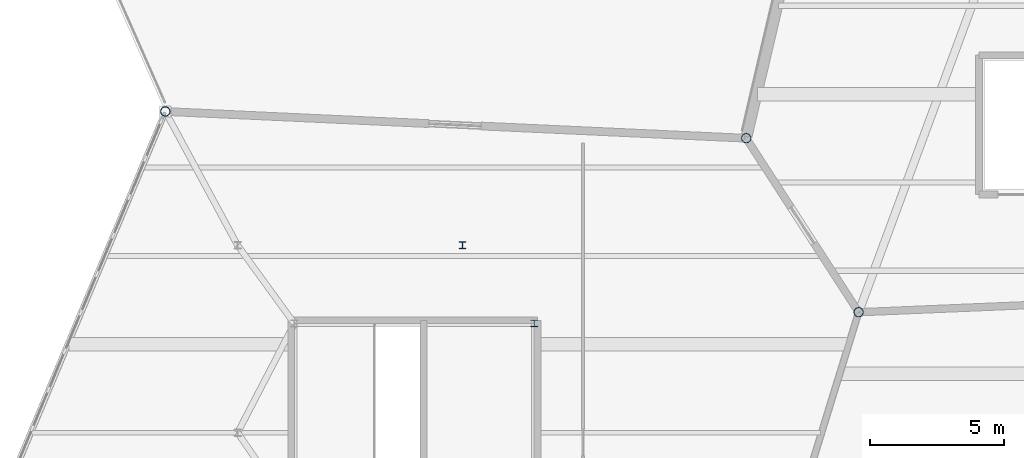
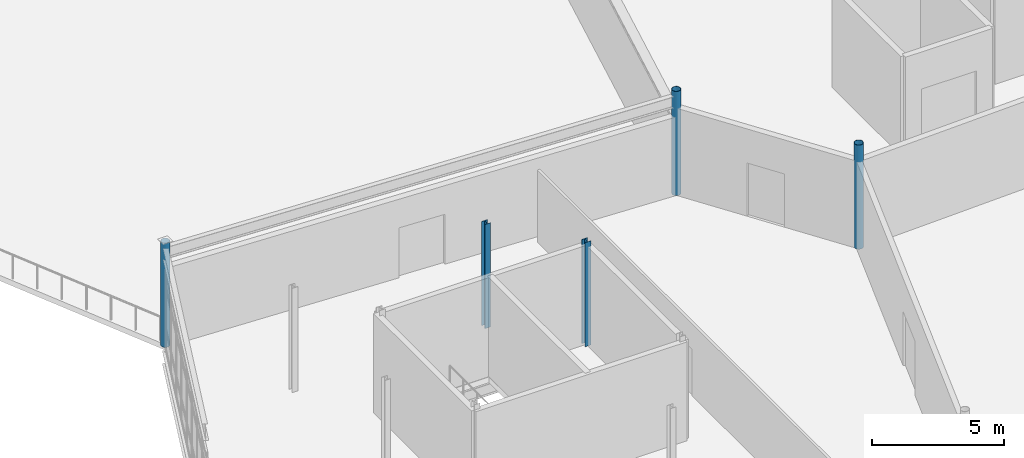
# One storey, part 10 of 114: 5 columns.
"""IFC4 building model written with IfcOpenShell, lengths in metres."""

from ifc_helpers import new_model, si_unit, direction, frame, origin, origin_2d, place, context, subcontext, project, spatial, hollow_circle, i_section, extrude, material, material_profile, profile_set, type_object, element, save


model = new_model("IFC4")

# Units and contexts
model_context = context("Model", 3, precision=1e-05, world=origin(), true_north=direction((0.0, 1.0)))
body_context = subcontext(model_context, "Body", "Model", "MODEL_VIEW")
ifc_project = project(units=[si_unit("LENGTHUNIT", "METRE"), si_unit("AREAUNIT", "SQUARE_METRE"), si_unit("VOLUMEUNIT", "CUBIC_METRE"), si_unit("PLANEANGLEUNIT", "RADIAN"), si_unit("MASSUNIT", "GRAM", prefix="KILO")], contexts=[model_context])

# Site, building, storey
site_placement = place(None, origin())
site = spatial("IfcSite", under=ifc_project, at=site_placement, CompositionType="ELEMENT")
building_placement = place(site_placement, origin())
building = spatial("IfcBuilding", under=site, at=building_placement, Name="Tameran Prism Museum", CompositionType="ELEMENT")
storey_placement = place(building_placement, frame((0.0, 0.0, 10.199951171875)))
storey = spatial("IfcBuildingStorey", under=building, at=storey_placement, Name="L02", CompositionType="ELEMENT", Elevation=10.199951171875)

# Columns
ifc_material_1 = material(Name="Steel Grade C350L0 (350 MPa)", Category="steel")
ifc_material_profile_1 = material_profile(ifc_material_1, hollow_circle(Radius=0.177734375, WallThickness=0.0126953125, at=origin_2d()))
ifc_profile_set_1 = profile_set([ifc_material_profile_1])
column_type_1 = type_object("IfcColumnType", Name="COL-CHS355", PredefinedType="COLUMN", material=ifc_profile_set_1)
for number, where, z_axis, x_axis, name in (
    (1, (5.699951171875, 89.0, 0.0), (0.0, 0.0, 1.0), (1.0, 0.0, 0.0), "Column CV-10 L02"),
    (2, (27.39990234375, 88.0, 0.0), (0.0, 0.0, 1.0), (1.0, 0.0, 0.0), "Column CV-17 L02"),
    (3, (31.60009765625, 81.5, 0.0), (0.0, 0.0, 1.0), (1.0, 0.0, 0.0), "Column CV-20 L02"),
):
    element("IfcColumn", number, at=place(storey_placement, frame(where, z_axis=z_axis, x_axis=x_axis)), inside=storey, type_object=column_type_1, Name=name, PredefinedType="COLUMN", context=body_context, shape_type="SweptSolid", body=[
        extrude(hollow_circle(Radius=0.177734375, WallThickness=0.0126953125, at=origin_2d()), origin(), (0.0, 0.0, 1.0), 4.800048828125),
    ])
ifc_material_2 = material(Name="Steel Grade 300PLUS (300 MPa)", Category="steel")
ifc_material_profile_2 = material_profile(ifc_material_2, i_section(OverallWidth=0.25390625, OverallDepth=0.25390625, WebThickness=0.008544921875, FlangeThickness=0.01416015625, FilletRadius=0.0126953125, at=origin_2d()))
ifc_profile_set_2 = profile_set([ifc_material_profile_2])
column_type_2 = type_object("IfcColumnType", Name="COL-UC250B", PredefinedType="COLUMN", material=ifc_profile_set_2)
for number, where, z_axis, x_axis, name in (
    (4, (16.800048828125, 84.0, 0.0), (0.0, 0.0, 1.0), (1.0, 0.0, 0.0), "Column CI-08 L02"),
    (5, (19.47998046875, 81.080078125, 0.0), (0.0, 0.0, 1.0), (1.0, 0.0, 0.0), "Column CC-9-3 L02"),
):
    element("IfcColumn", number, at=place(storey_placement, frame(where, z_axis=z_axis, x_axis=x_axis)), inside=storey, type_object=column_type_2, Name=name, PredefinedType="COLUMN", context=body_context, shape_type="SweptSolid", body=[
        extrude(i_section(OverallWidth=0.25390625, OverallDepth=0.25390625, WebThickness=0.008544921875, FlangeThickness=0.01416015625, FilletRadius=0.0126953125, at=origin_2d()), origin(), (0.0, 0.0, 1.0), 4.800048828125),
    ])

save(model, "model.ifc")
